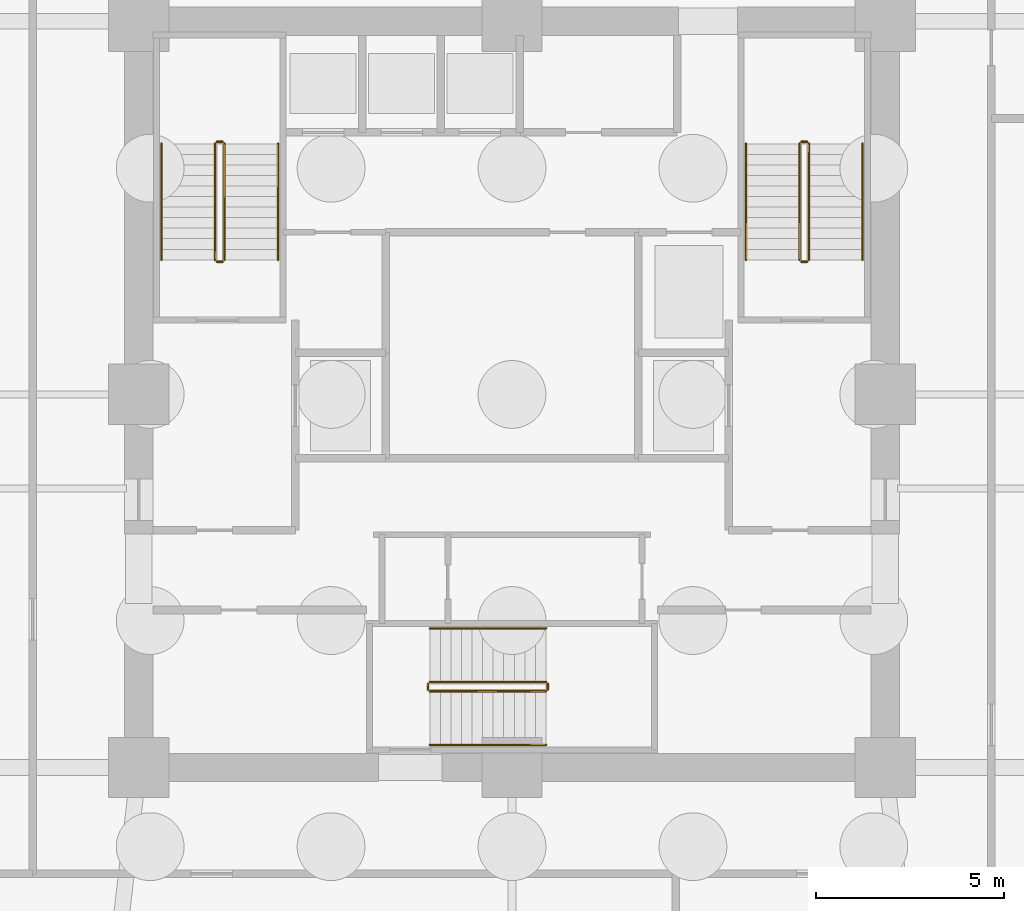
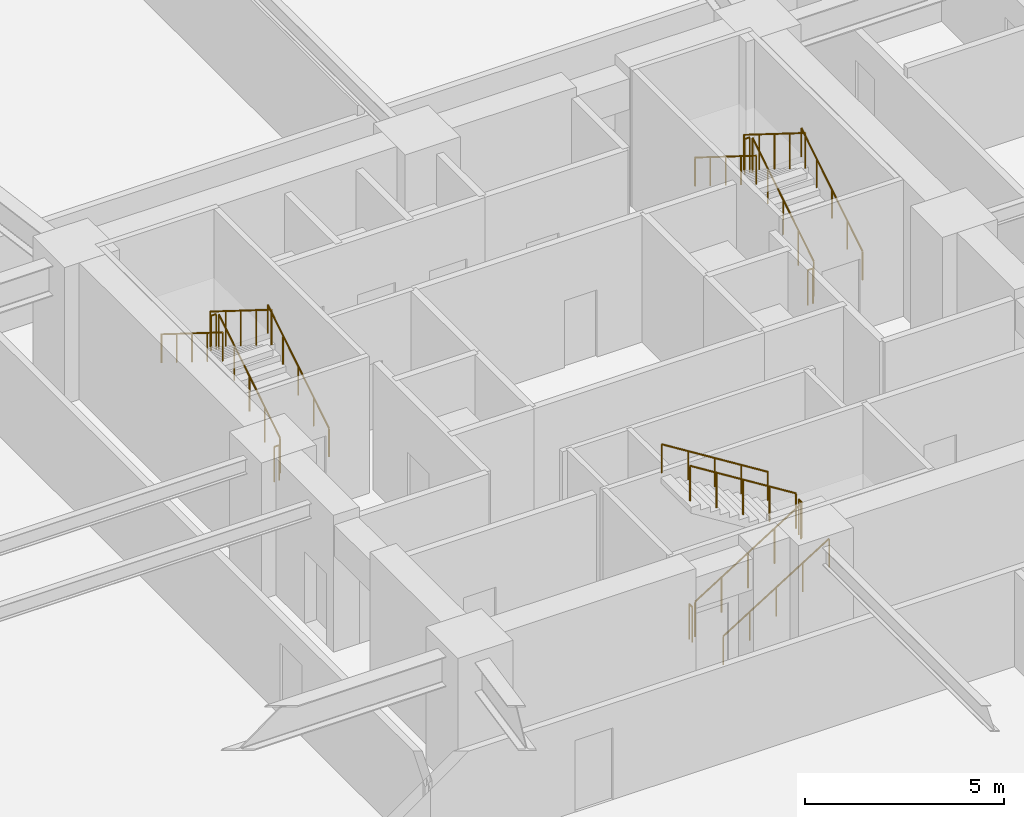
# One storey, part 7 of 8: 18 railings.
"""IFC4 building model written with IfcOpenShell, lengths in metres."""

from ifc_helpers import new_model, si_unit, direction, frame, origin, origin_2d, place, context, subcontext, project, spatial, circle, extrude, material, type_object, element, save


model = new_model("IFC4")

# Units and contexts
model_context = context("Model", 3, precision=1e-05, world=origin(), true_north=direction((0.0, 1.0)))
body_context = subcontext(model_context, "Body", "Model", "MODEL_VIEW")
ifc_project = project(units=[si_unit("LENGTHUNIT", "METRE"), si_unit("AREAUNIT", "SQUARE_METRE"), si_unit("VOLUMEUNIT", "CUBIC_METRE"), si_unit("PLANEANGLEUNIT", "RADIAN"), si_unit("MASSUNIT", "GRAM", prefix="KILO")], contexts=[model_context])

# Site, building, storey
site_placement = place(None, origin())
site = spatial("IfcSite", under=ifc_project, at=site_placement, CompositionType="ELEMENT")
building_placement = place(site_placement, origin())
building = spatial("IfcBuilding", under=site, at=building_placement, Name="Kolvaren Belvedere", CompositionType="ELEMENT")
storey_placement = place(building_placement, frame((0.0, 0.0, -12.60009765625)))
storey = spatial("IfcBuildingStorey", under=building, at=storey_placement, Name="B03", CompositionType="ELEMENT", Elevation=-12.60009765625)

# Railings
ifc_material_1 = material(Name="Brushed stainless-steel handrail", Category="steel")
railing_type_1 = type_object("IfcRailingType", Name="RL-HANDRAIL-920", PredefinedType="HANDRAIL", material=ifc_material_1)
railing_1_placement = place(storey_placement, frame((-6.2099609375, 3.570068359375, 0.175048828125)))
element("IfcRailing", 1, at=railing_1_placement, inside=storey, type_object=railing_type_1, Name="B03 ST-1 stair handrail 1", PredefinedType="HANDRAIL", context=body_context, shape_type="SweptSolid", body=[
    extrude(circle(Radius=0.02392578125, at=origin_2d()), frame((0.0, 0.0, 0.8759765625), z_axis=(0.0, 0.847979421464, 0.530029150871), x_axis=(-1.0, 0.0, 0.0)), (0.0, 0.0, 1.0), 3.632080078125),
    extrude(circle(Radius=0.02099609375, at=origin_2d()), origin(), (0.0, 0.0, 1.0), 0.851806640625),
    extrude(circle(Radius=0.02099609375, at=origin_2d()), frame((0.0, 0.77001953125, 0.481201171875)), (0.0, 0.0, 1.0), 0.851806640625),
    extrude(circle(Radius=0.02099609375, at=origin_2d()), frame((0.0, 1.5400390625, 0.96240234375)), (0.0, 0.0, 1.0), 0.851806640625),
    extrude(circle(Radius=0.02099609375, at=origin_2d()), frame((0.0, 2.309814453125, 1.44384765625)), (0.0, 0.0, 1.0), 0.851806640625),
    extrude(circle(Radius=0.02099609375, at=origin_2d()), frame((0.0, 3.079833984375, 1.925048828125)), (0.0, 0.0, 1.0), 0.851806640625),
])
railing_2_placement = place(storey_placement, frame((-9.300048828125, 6.64990234375, 2.275146484375)))
element("IfcRailing", 2, at=railing_2_placement, inside=storey, type_object=railing_type_1, Name="B03 ST-1 stair handrail 2", PredefinedType="HANDRAIL", context=body_context, shape_type="SweptSolid", body=[
    extrude(circle(Radius=0.02392578125, at=origin_2d()), frame((0.0, 0.0, 0.8759765625), z_axis=(0.0, -0.847979421464, 0.530029150871), x_axis=(1.0, 0.0, 0.0)), (0.0, 0.0, 1.0), 3.632080078125),
    extrude(circle(Radius=0.02099609375, at=origin_2d()), origin(), (0.0, 0.0, 1.0), 0.851806640625),
    extrude(circle(Radius=0.02099609375, at=origin_2d()), frame((0.0, -0.77001953125, 0.481201171875)), (0.0, 0.0, 1.0), 0.851806640625),
    extrude(circle(Radius=0.02099609375, at=origin_2d()), frame((0.0, -1.5400390625, 0.96240234375)), (0.0, 0.0, 1.0), 0.851806640625),
    extrude(circle(Radius=0.02099609375, at=origin_2d()), frame((0.0, -2.309814453125, 1.44384765625)), (0.0, 0.0, 1.0), 0.851806640625),
    extrude(circle(Radius=0.02099609375, at=origin_2d()), frame((0.0, -3.079833984375, 1.925048828125)), (0.0, 0.0, 1.0), 0.851806640625),
])
railing_3_placement = place(storey_placement, frame((9.300048828125, 3.570068359375, 0.175048828125)))
element("IfcRailing", 3, at=railing_3_placement, inside=storey, type_object=railing_type_1, Name="B03 ST-2 stair handrail 1", PredefinedType="HANDRAIL", context=body_context, shape_type="SweptSolid", body=[
    extrude(circle(Radius=0.02392578125, at=origin_2d()), frame((0.0, 0.0, 0.8759765625), z_axis=(0.0, 0.847979421464, 0.530029150871), x_axis=(-1.0, 0.0, 0.0)), (0.0, 0.0, 1.0), 3.632080078125),
    extrude(circle(Radius=0.02099609375, at=origin_2d()), origin(), (0.0, 0.0, 1.0), 0.851806640625),
    extrude(circle(Radius=0.02099609375, at=origin_2d()), frame((0.0, 0.77001953125, 0.481201171875)), (0.0, 0.0, 1.0), 0.851806640625),
    extrude(circle(Radius=0.02099609375, at=origin_2d()), frame((0.0, 1.5400390625, 0.96240234375)), (0.0, 0.0, 1.0), 0.851806640625),
    extrude(circle(Radius=0.02099609375, at=origin_2d()), frame((0.0, 2.309814453125, 1.44384765625)), (0.0, 0.0, 1.0), 0.851806640625),
    extrude(circle(Radius=0.02099609375, at=origin_2d()), frame((0.0, 3.079833984375, 1.925048828125)), (0.0, 0.0, 1.0), 0.851806640625),
])
railing_4_placement = place(storey_placement, frame((6.2099609375, 6.64990234375, 2.275146484375)))
element("IfcRailing", 4, at=railing_4_placement, inside=storey, type_object=railing_type_1, Name="B03 ST-2 stair handrail 2", PredefinedType="HANDRAIL", context=body_context, shape_type="SweptSolid", body=[
    extrude(circle(Radius=0.02392578125, at=origin_2d()), frame((0.0, 0.0, 0.8759765625), z_axis=(0.0, -0.847979421464, 0.530029150871), x_axis=(1.0, 0.0, 0.0)), (0.0, 0.0, 1.0), 3.632080078125),
    extrude(circle(Radius=0.02099609375, at=origin_2d()), origin(), (0.0, 0.0, 1.0), 0.851806640625),
    extrude(circle(Radius=0.02099609375, at=origin_2d()), frame((0.0, -0.77001953125, 0.481201171875)), (0.0, 0.0, 1.0), 0.851806640625),
    extrude(circle(Radius=0.02099609375, at=origin_2d()), frame((0.0, -1.5400390625, 0.96240234375)), (0.0, 0.0, 1.0), 0.851806640625),
    extrude(circle(Radius=0.02099609375, at=origin_2d()), frame((0.0, -2.309814453125, 1.44384765625)), (0.0, 0.0, 1.0), 0.851806640625),
    extrude(circle(Radius=0.02099609375, at=origin_2d()), frame((0.0, -3.079833984375, 1.925048828125)), (0.0, 0.0, 1.0), 0.851806640625),
])
railing_5_placement = place(storey_placement, frame((-2.179931640625, -9.300048828125, 0.175048828125)))
element("IfcRailing", 5, at=railing_5_placement, inside=storey, type_object=railing_type_1, Name="B03 ST-3 stair handrail 1", PredefinedType="HANDRAIL", context=body_context, shape_type="SweptSolid", body=[
    extrude(circle(Radius=0.02392578125, at=origin_2d()), frame((0.0, 0.0, 0.8759765625), z_axis=(0.847979421464, 0.0, 0.530029150871), x_axis=(0.0, 1.0, 0.0)), (0.0, 0.0, 1.0), 3.632080078125),
    extrude(circle(Radius=0.02099609375, at=origin_2d()), origin(), (0.0, 0.0, 1.0), 0.851806640625),
    extrude(circle(Radius=0.02099609375, at=origin_2d()), frame((0.77001953125, 0.0, 0.481201171875)), (0.0, 0.0, 1.0), 0.851806640625),
    extrude(circle(Radius=0.02099609375, at=origin_2d()), frame((1.5400390625, 0.0, 0.96240234375)), (0.0, 0.0, 1.0), 0.851806640625),
    extrude(circle(Radius=0.02099609375, at=origin_2d()), frame((2.309814453125, 0.0, 1.44384765625)), (0.0, 0.0, 1.0), 0.851806640625),
    extrude(circle(Radius=0.02099609375, at=origin_2d()), frame((3.079833984375, 0.0, 1.925048828125)), (0.0, 0.0, 1.0), 0.851806640625),
])
railing_6_placement = place(storey_placement, frame((0.89990234375, -6.2099609375, 2.275146484375)))
element("IfcRailing", 6, at=railing_6_placement, inside=storey, type_object=railing_type_1, Name="B03 ST-3 stair handrail 2", PredefinedType="HANDRAIL", context=body_context, shape_type="SweptSolid", body=[
    extrude(circle(Radius=0.02392578125, at=origin_2d()), frame((0.0, 0.0, 0.8759765625), z_axis=(-0.847979421464, 0.0, 0.530029150871), x_axis=(0.0, -1.0, 0.0)), (0.0, 0.0, 1.0), 3.632080078125),
    extrude(circle(Radius=0.02099609375, at=origin_2d()), origin(), (0.0, 0.0, 1.0), 0.851806640625),
    extrude(circle(Radius=0.02099609375, at=origin_2d()), frame((-0.77001953125, 0.0, 0.481201171875)), (0.0, 0.0, 1.0), 0.851806640625),
    extrude(circle(Radius=0.02099609375, at=origin_2d()), frame((-1.5400390625, 0.0, 0.96240234375)), (0.0, 0.0, 1.0), 0.851806640625),
    extrude(circle(Radius=0.02099609375, at=origin_2d()), frame((-2.309814453125, 0.0, 1.44384765625)), (0.0, 0.0, 1.0), 0.851806640625),
    extrude(circle(Radius=0.02099609375, at=origin_2d()), frame((-3.079833984375, 0.0, 1.925048828125)), (0.0, 0.0, 1.0), 0.851806640625),
])
ifc_material_2 = material(Name="Painted tubular steel stair guard", Category="steel")
railing_type_2 = type_object("IfcRailingType", Name="RL-STGUARD-1100", PredefinedType="GUARDRAIL", material=ifc_material_2)
railing_7_placement = place(storey_placement, frame((-7.6298828125, 3.570068359375, 0.175048828125)))
element("IfcRailing", 7, at=railing_7_placement, inside=storey, type_object=railing_type_2, Name="B03 ST-1 stair guard 1", PredefinedType="GUARDRAIL", context=body_context, shape_type="SweptSolid", body=[
    extrude(circle(Radius=0.02392578125, at=origin_2d()), frame((0.0, 0.0, 1.076171875), z_axis=(0.0, 0.847979421464, 0.530029150871), x_axis=(-1.0, 0.0, 0.0)), (0.0, 0.0, 1.0), 3.632080078125),
    extrude(circle(Radius=0.02099609375, at=origin_2d()), origin(), (0.0, 0.0, 1.0), 1.052001953125),
    extrude(circle(Radius=0.02099609375, at=origin_2d()), frame((0.0, 0.77001953125, 0.481201171875)), (0.0, 0.0, 1.0), 1.052001953125),
    extrude(circle(Radius=0.02099609375, at=origin_2d()), frame((0.0, 1.5400390625, 0.96240234375)), (0.0, 0.0, 1.0), 1.052001953125),
    extrude(circle(Radius=0.02099609375, at=origin_2d()), frame((0.0, 2.309814453125, 1.44384765625)), (0.0, 0.0, 1.0), 1.052001953125),
    extrude(circle(Radius=0.02099609375, at=origin_2d()), frame((0.0, 3.079833984375, 1.925048828125)), (0.0, 0.0, 1.0), 1.052001953125),
])
railing_8_placement = place(storey_placement, frame((-7.679931640625, 6.699951171875, 2.10009765625)))
element("IfcRailing", 8, at=railing_8_placement, inside=storey, type_object=railing_type_2, Name="B03 ST-1 stair guard 2", PredefinedType="GUARDRAIL", context=body_context, shape_type="SweptSolid", body=[
    extrude(circle(Radius=0.02392578125, at=origin_2d()), frame((0.0, 0.0, 1.076171875), z_axis=(-1.0, 0.0, 0.0), x_axis=(0.0, -1.0, 0.0)), (0.0, 0.0, 1.0), 0.150146484375),
    extrude(circle(Radius=0.02099609375, at=origin_2d()), origin(), (0.0, 0.0, 1.0), 1.052001953125),
    extrude(circle(Radius=0.02099609375, at=origin_2d()), frame((-0.150146484375, 0.0, 0.0)), (0.0, 0.0, 1.0), 1.052001953125),
])
railing_9_placement = place(storey_placement, frame((-7.8798828125, 6.64990234375, 2.275146484375)))
element("IfcRailing", 9, at=railing_9_placement, inside=storey, type_object=railing_type_2, Name="B03 ST-1 stair guard 3", PredefinedType="GUARDRAIL", context=body_context, shape_type="SweptSolid", body=[
    extrude(circle(Radius=0.02392578125, at=origin_2d()), frame((0.0, 0.0, 1.076171875), z_axis=(0.0, -0.847979421464, 0.530029150871), x_axis=(1.0, 0.0, 0.0)), (0.0, 0.0, 1.0), 3.632080078125),
    extrude(circle(Radius=0.02099609375, at=origin_2d()), origin(), (0.0, 0.0, 1.0), 1.052001953125),
    extrude(circle(Radius=0.02099609375, at=origin_2d()), frame((0.0, -0.77001953125, 0.481201171875)), (0.0, 0.0, 1.0), 1.052001953125),
    extrude(circle(Radius=0.02099609375, at=origin_2d()), frame((0.0, -1.5400390625, 0.96240234375)), (0.0, 0.0, 1.0), 1.052001953125),
    extrude(circle(Radius=0.02099609375, at=origin_2d()), frame((0.0, -2.309814453125, 1.44384765625)), (0.0, 0.0, 1.0), 1.052001953125),
    extrude(circle(Radius=0.02099609375, at=origin_2d()), frame((0.0, -3.079833984375, 1.925048828125)), (0.0, 0.0, 1.0), 1.052001953125),
])
railing_10_placement = place(storey_placement, frame((-7.679931640625, 3.52001953125, 0.0)))
element("IfcRailing", 10, at=railing_10_placement, inside=storey, type_object=railing_type_2, Name="B03 ST-1 stair guard 4", PredefinedType="GUARDRAIL", context=body_context, shape_type="SweptSolid", body=[
    extrude(circle(Radius=0.02392578125, at=origin_2d()), frame((0.0, 0.0, 1.076171875), z_axis=(-1.0, 0.0, 0.0), x_axis=(0.0, -1.0, 0.0)), (0.0, 0.0, 1.0), 0.150146484375),
    extrude(circle(Radius=0.02099609375, at=origin_2d()), origin(), (0.0, 0.0, 1.0), 1.052001953125),
    extrude(circle(Radius=0.02099609375, at=origin_2d()), frame((-0.150146484375, 0.0, 0.0)), (0.0, 0.0, 1.0), 1.052001953125),
])
railing_11_placement = place(storey_placement, frame((7.8798828125, 3.570068359375, 0.175048828125)))
element("IfcRailing", 11, at=railing_11_placement, inside=storey, type_object=railing_type_2, Name="B03 ST-2 stair guard 1", PredefinedType="GUARDRAIL", context=body_context, shape_type="SweptSolid", body=[
    extrude(circle(Radius=0.02392578125, at=origin_2d()), frame((0.0, 0.0, 1.076171875), z_axis=(0.0, 0.847979421464, 0.530029150871), x_axis=(-1.0, 0.0, 0.0)), (0.0, 0.0, 1.0), 3.632080078125),
    extrude(circle(Radius=0.02099609375, at=origin_2d()), origin(), (0.0, 0.0, 1.0), 1.052001953125),
    extrude(circle(Radius=0.02099609375, at=origin_2d()), frame((0.0, 0.77001953125, 0.481201171875)), (0.0, 0.0, 1.0), 1.052001953125),
    extrude(circle(Radius=0.02099609375, at=origin_2d()), frame((0.0, 1.5400390625, 0.96240234375)), (0.0, 0.0, 1.0), 1.052001953125),
    extrude(circle(Radius=0.02099609375, at=origin_2d()), frame((0.0, 2.309814453125, 1.44384765625)), (0.0, 0.0, 1.0), 1.052001953125),
    extrude(circle(Radius=0.02099609375, at=origin_2d()), frame((0.0, 3.079833984375, 1.925048828125)), (0.0, 0.0, 1.0), 1.052001953125),
])
railing_12_placement = place(storey_placement, frame((7.830078125, 6.699951171875, 2.10009765625)))
element("IfcRailing", 12, at=railing_12_placement, inside=storey, type_object=railing_type_2, Name="B03 ST-2 stair guard 2", PredefinedType="GUARDRAIL", context=body_context, shape_type="SweptSolid", body=[
    extrude(circle(Radius=0.02392578125, at=origin_2d()), frame((0.0, 0.0, 1.076171875), z_axis=(-1.0, 0.0, 0.0), x_axis=(0.0, -1.0, 0.0)), (0.0, 0.0, 1.0), 0.150146484375),
    extrude(circle(Radius=0.02099609375, at=origin_2d()), origin(), (0.0, 0.0, 1.0), 1.052001953125),
    extrude(circle(Radius=0.02099609375, at=origin_2d()), frame((-0.150146484375, 0.0, 0.0)), (0.0, 0.0, 1.0), 1.052001953125),
])
railing_13_placement = place(storey_placement, frame((7.6298828125, 6.64990234375, 2.275146484375)))
element("IfcRailing", 13, at=railing_13_placement, inside=storey, type_object=railing_type_2, Name="B03 ST-2 stair guard 3", PredefinedType="GUARDRAIL", context=body_context, shape_type="SweptSolid", body=[
    extrude(circle(Radius=0.02392578125, at=origin_2d()), frame((0.0, 0.0, 1.076171875), z_axis=(0.0, -0.847979421464, 0.530029150871), x_axis=(1.0, 0.0, 0.0)), (0.0, 0.0, 1.0), 3.632080078125),
    extrude(circle(Radius=0.02099609375, at=origin_2d()), origin(), (0.0, 0.0, 1.0), 1.052001953125),
    extrude(circle(Radius=0.02099609375, at=origin_2d()), frame((0.0, -0.77001953125, 0.481201171875)), (0.0, 0.0, 1.0), 1.052001953125),
    extrude(circle(Radius=0.02099609375, at=origin_2d()), frame((0.0, -1.5400390625, 0.96240234375)), (0.0, 0.0, 1.0), 1.052001953125),
    extrude(circle(Radius=0.02099609375, at=origin_2d()), frame((0.0, -2.309814453125, 1.44384765625)), (0.0, 0.0, 1.0), 1.052001953125),
    extrude(circle(Radius=0.02099609375, at=origin_2d()), frame((0.0, -3.079833984375, 1.925048828125)), (0.0, 0.0, 1.0), 1.052001953125),
])
railing_14_placement = place(storey_placement, frame((7.830078125, 3.52001953125, 0.0)))
element("IfcRailing", 14, at=railing_14_placement, inside=storey, type_object=railing_type_2, Name="B03 ST-2 stair guard 4", PredefinedType="GUARDRAIL", context=body_context, shape_type="SweptSolid", body=[
    extrude(circle(Radius=0.02392578125, at=origin_2d()), frame((0.0, 0.0, 1.076171875), z_axis=(-1.0, 0.0, 0.0), x_axis=(0.0, -1.0, 0.0)), (0.0, 0.0, 1.0), 0.150146484375),
    extrude(circle(Radius=0.02099609375, at=origin_2d()), origin(), (0.0, 0.0, 1.0), 1.052001953125),
    extrude(circle(Radius=0.02099609375, at=origin_2d()), frame((-0.150146484375, 0.0, 0.0)), (0.0, 0.0, 1.0), 1.052001953125),
])
railing_15_placement = place(storey_placement, frame((-2.179931640625, -7.8798828125, 0.175048828125)))
element("IfcRailing", 15, at=railing_15_placement, inside=storey, type_object=railing_type_2, Name="B03 ST-3 stair guard 1", PredefinedType="GUARDRAIL", context=body_context, shape_type="SweptSolid", body=[
    extrude(circle(Radius=0.02392578125, at=origin_2d()), frame((0.0, 0.0, 1.076171875), z_axis=(0.847979421464, 0.0, 0.530029150871), x_axis=(0.0, 1.0, 0.0)), (0.0, 0.0, 1.0), 3.632080078125),
    extrude(circle(Radius=0.02099609375, at=origin_2d()), origin(), (0.0, 0.0, 1.0), 1.052001953125),
    extrude(circle(Radius=0.02099609375, at=origin_2d()), frame((0.77001953125, 0.0, 0.481201171875)), (0.0, 0.0, 1.0), 1.052001953125),
    extrude(circle(Radius=0.02099609375, at=origin_2d()), frame((1.5400390625, 0.0, 0.96240234375)), (0.0, 0.0, 1.0), 1.052001953125),
    extrude(circle(Radius=0.02099609375, at=origin_2d()), frame((2.309814453125, 0.0, 1.44384765625)), (0.0, 0.0, 1.0), 1.052001953125),
    extrude(circle(Radius=0.02099609375, at=origin_2d()), frame((3.079833984375, 0.0, 1.925048828125)), (0.0, 0.0, 1.0), 1.052001953125),
])
railing_16_placement = place(storey_placement, frame((0.949951171875, -7.830078125, 2.10009765625)))
element("IfcRailing", 16, at=railing_16_placement, inside=storey, type_object=railing_type_2, Name="B03 ST-3 stair guard 2", PredefinedType="GUARDRAIL", context=body_context, shape_type="SweptSolid", body=[
    extrude(circle(Radius=0.02392578125, at=origin_2d()), frame((0.0, 0.0, 1.076171875), z_axis=(0.0, 1.0, 0.0), x_axis=(-1.0, 0.0, 0.0)), (0.0, 0.0, 1.0), 0.150146484375),
    extrude(circle(Radius=0.02099609375, at=origin_2d()), origin(), (0.0, 0.0, 1.0), 1.052001953125),
    extrude(circle(Radius=0.02099609375, at=origin_2d()), frame((0.0, 0.150146484375, 0.0)), (0.0, 0.0, 1.0), 1.052001953125),
])
railing_17_placement = place(storey_placement, frame((0.89990234375, -7.6298828125, 2.275146484375)))
element("IfcRailing", 17, at=railing_17_placement, inside=storey, type_object=railing_type_2, Name="B03 ST-3 stair guard 3", PredefinedType="GUARDRAIL", context=body_context, shape_type="SweptSolid", body=[
    extrude(circle(Radius=0.02392578125, at=origin_2d()), frame((0.0, 0.0, 1.076171875), z_axis=(-0.847979421464, 0.0, 0.530029150871), x_axis=(0.0, -1.0, 0.0)), (0.0, 0.0, 1.0), 3.632080078125),
    extrude(circle(Radius=0.02099609375, at=origin_2d()), origin(), (0.0, 0.0, 1.0), 1.052001953125),
    extrude(circle(Radius=0.02099609375, at=origin_2d()), frame((-0.77001953125, 0.0, 0.481201171875)), (0.0, 0.0, 1.0), 1.052001953125),
    extrude(circle(Radius=0.02099609375, at=origin_2d()), frame((-1.5400390625, 0.0, 0.96240234375)), (0.0, 0.0, 1.0), 1.052001953125),
    extrude(circle(Radius=0.02099609375, at=origin_2d()), frame((-2.309814453125, 0.0, 1.44384765625)), (0.0, 0.0, 1.0), 1.052001953125),
    extrude(circle(Radius=0.02099609375, at=origin_2d()), frame((-3.079833984375, 0.0, 1.925048828125)), (0.0, 0.0, 1.0), 1.052001953125),
])
railing_18_placement = place(storey_placement, frame((-2.22998046875, -7.830078125, 0.0)))
element("IfcRailing", 18, at=railing_18_placement, inside=storey, type_object=railing_type_2, Name="B03 ST-3 stair guard 4", PredefinedType="GUARDRAIL", context=body_context, shape_type="SweptSolid", body=[
    extrude(circle(Radius=0.02392578125, at=origin_2d()), frame((0.0, 0.0, 1.076171875), z_axis=(0.0, 1.0, 0.0), x_axis=(-1.0, 0.0, 0.0)), (0.0, 0.0, 1.0), 0.150146484375),
    extrude(circle(Radius=0.02099609375, at=origin_2d()), origin(), (0.0, 0.0, 1.0), 1.052001953125),
    extrude(circle(Radius=0.02099609375, at=origin_2d()), frame((0.0, 0.150146484375, 0.0)), (0.0, 0.0, 1.0), 1.052001953125),
])

save(model, "model.ifc")
